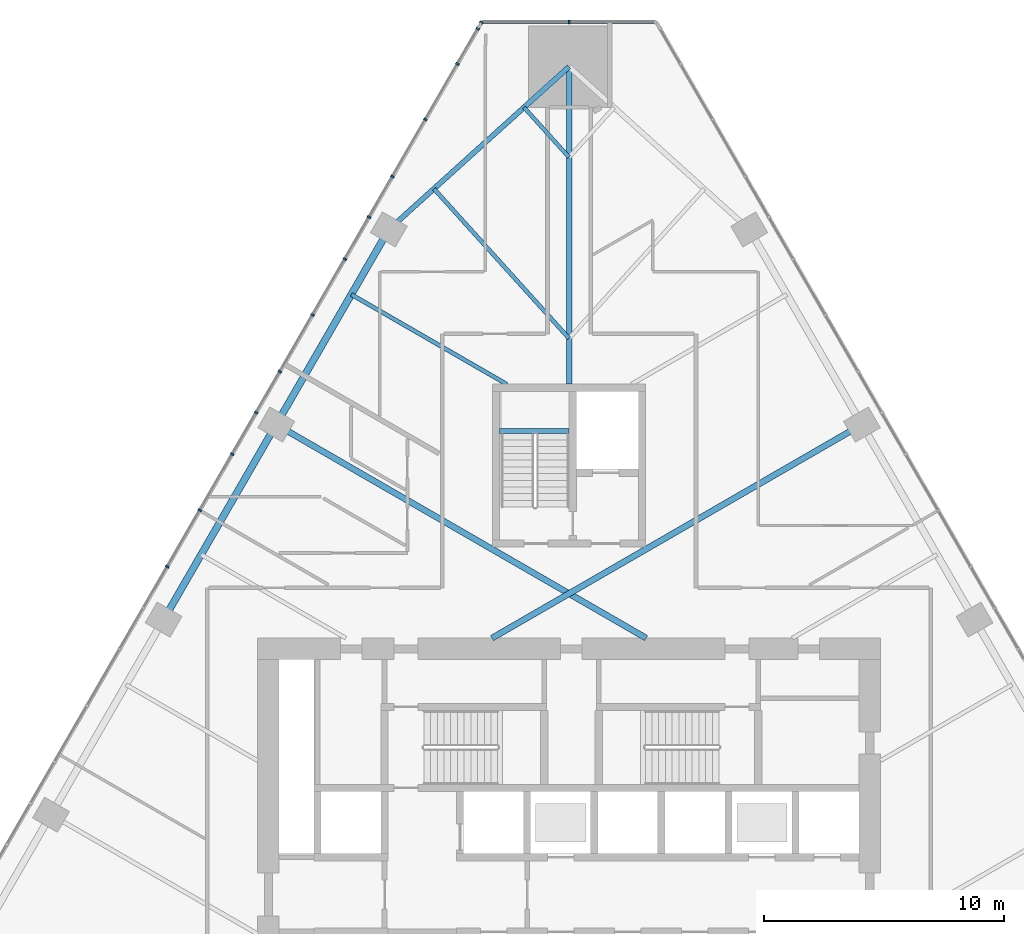
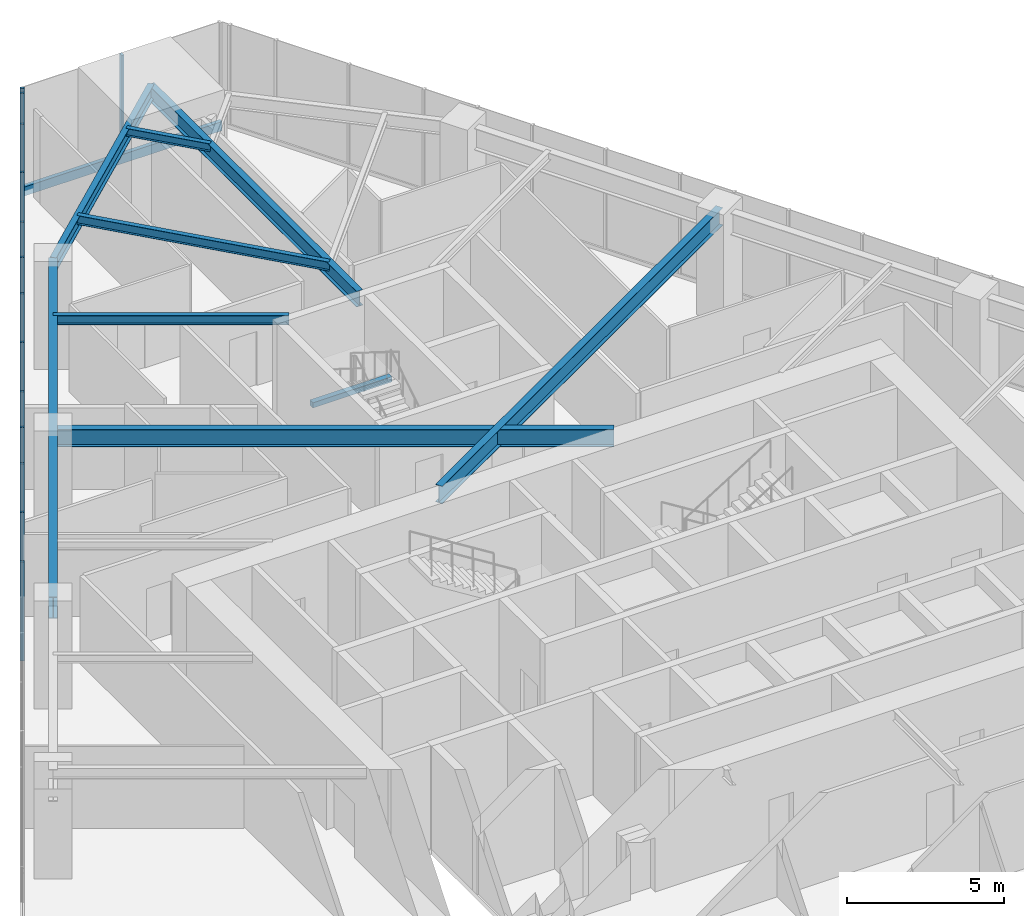
# One storey, part 9 of 21: 15 members, 9 beams, 2 elements without a shape of their own.
"""IFC4 building model written with IfcOpenShell, lengths in metres."""

from ifc_helpers import new_model, si_unit, direction, frame, origin, origin_2d, place, context, subcontext, project, spatial, rectangle, i_section, extrude, material, layer, layer_set, material_profile, profile_set, type_object, element, aggregate, save


model = new_model("IFC4")

# Units and contexts
model_context = context("Model", 3, precision=1e-05, world=origin(), true_north=direction((0.0, 1.0)))
body_context = subcontext(model_context, "Body", "Model", "MODEL_VIEW")
ifc_project = project(units=[si_unit("LENGTHUNIT", "METRE"), si_unit("AREAUNIT", "SQUARE_METRE"), si_unit("VOLUMEUNIT", "CUBIC_METRE"), si_unit("PLANEANGLEUNIT", "RADIAN"), si_unit("MASSUNIT", "GRAM", prefix="KILO")], contexts=[model_context])

# Site, building, storey
site_placement = place(None, origin())
site = spatial("IfcSite", under=ifc_project, at=site_placement, CompositionType="ELEMENT")
building_placement = place(site_placement, origin())
building = spatial("IfcBuilding", under=site, at=building_placement, Name="Firuza Gate Tower and Library", CompositionType="ELEMENT")
storey_placement = place(building_placement, frame((0.0, 0.0, 94.60009765625)))
storey = spatial("IfcBuildingStorey", under=building, at=storey_placement, Name="L21", CompositionType="ELEMENT", Elevation=94.60009765625)

# Curtain wall, member
ifc_material_1 = material(Name="Aluminium 6063-T6", Category="aluminium")
ifc_layer_1 = layer(ifc_material_1, 0.14990234375)
ifc_layer_set_1 = layer_set([ifc_layer_1], Name="Corner curtain wall, chamfers")
curtain_wall_type_1 = type_object("IfcCurtainWallType", Name="Corner curtain wall, chamfers", PredefinedType="NOTDEFINED", material=ifc_layer_set_1)
placement = place(storey_placement, origin())
curtain_wall_1 = element("IfcCurtainWall", 1, at=placement, inside=storey, type_object=curtain_wall_type_1, Name="CW4 L21 N corner", PredefinedType="NOTDEFINED")
ifc_material_2 = material(Name="Aluminium 6063-T6", Category="aluminium")
ifc_material_profile_1 = material_profile(ifc_material_2, rectangle(XDim=0.14990234375, YDim=0.080078125, at=origin_2d()))
ifc_profile_set_1 = profile_set([ifc_material_profile_1], Name="Aluminium 6063-T6")
member_type_1 = type_object("IfcMemberType", Name="Curtain wall mullion 80x150", PredefinedType="MULLION", material=ifc_profile_set_1)
member_1_placement = place(storey_placement, frame((75.0, 109.727783203125, 0.14990234375), z_axis=(0.0, 0.0, 1.0), x_axis=(0.0, -1.0, 0.0)))
member_1 = element("IfcMember", 2, at=member_1_placement, type_object=member_type_1, Name="Mullion", PredefinedType="MULLION", context=body_context, shape_type="SweptSolid", body=[
    extrude(rectangle(XDim=0.14990234375, YDim=0.080078125, at=origin_2d()), origin(), (0.0, 0.0, 1.0), 3.85009765625),
])

# Curtain wall, members
ifc_material_3 = material(Name="Aluminium 6063-T6", Category="aluminium")
ifc_layer_2 = layer(ifc_material_3, 0.14990234375)
ifc_layer_set_2 = layer_set([ifc_layer_2], Name="Unitised curtain wall, offices")
curtain_wall_type_2 = type_object("IfcCurtainWallType", Name="Unitised curtain wall, offices", PredefinedType="NOTDEFINED", material=ifc_layer_set_2)
curtain_wall_2 = element("IfcCurtainWall", 3, at=placement, inside=storey, type_object=curtain_wall_type_2, Name="CW1 L21 W face", PredefinedType="NOTDEFINED")
member_2_placement = place(storey_placement, frame((71.336669921875, 109.693115234375, 0.14990234375), z_axis=(0.0, 0.0, 1.0), x_axis=(0.866025403784, -0.5, 0.0)))
member_2 = element("IfcMember", 4, at=member_2_placement, type_object=member_type_1, Name="Mullion", PredefinedType="MULLION", context=body_context, shape_type="SweptSolid", body=[
    extrude(rectangle(XDim=0.14990234375, YDim=0.080078125, at=origin_2d()), origin(), (0.0, 0.0, 1.0), 3.85009765625),
])
member_3_placement = place(storey_placement, frame((69.002197265625, 105.649658203125, 0.14990234375), z_axis=(0.0, 0.0, 1.0), x_axis=(0.866025403784, -0.5, 0.0)))
member_3 = element("IfcMember", 5, at=member_3_placement, type_object=member_type_1, Name="Mullion", PredefinedType="MULLION", context=body_context, shape_type="SweptSolid", body=[
    extrude(rectangle(XDim=0.14990234375, YDim=0.080078125, at=origin_2d()), origin(), (0.0, 0.0, 1.0), 3.85009765625),
])
member_4_placement = place(storey_placement, frame((66.647705078125, 101.571533203125, 0.14990234375), z_axis=(0.0, 0.0, 1.0), x_axis=(0.866025403784, -0.5, 0.0)))
member_4 = element("IfcMember", 6, at=member_4_placement, type_object=member_type_1, Name="Mullion", PredefinedType="MULLION", context=body_context, shape_type="SweptSolid", body=[
    extrude(rectangle(XDim=0.14990234375, YDim=0.080078125, at=origin_2d()), origin(), (0.0, 0.0, 1.0), 3.85009765625),
])
member_5_placement = place(storey_placement, frame((64.29345703125, 97.49365234375, 0.14990234375), z_axis=(0.0, 0.0, 1.0), x_axis=(0.866025403784, -0.5, 0.0)))
member_5 = element("IfcMember", 7, at=member_5_placement, type_object=member_type_1, Name="Mullion", PredefinedType="MULLION", context=body_context, shape_type="SweptSolid", body=[
    extrude(rectangle(XDim=0.14990234375, YDim=0.080078125, at=origin_2d()), origin(), (0.0, 0.0, 1.0), 3.85009765625),
])
member_6_placement = place(storey_placement, frame((61.93896484375, 93.41552734375, 0.14990234375), z_axis=(0.0, 0.0, 1.0), x_axis=(0.866025403784, -0.5, 0.0)))
member_6 = element("IfcMember", 8, at=member_6_placement, type_object=member_type_1, Name="Mullion", PredefinedType="MULLION", context=body_context, shape_type="SweptSolid", body=[
    extrude(rectangle(XDim=0.14990234375, YDim=0.080078125, at=origin_2d()), origin(), (0.0, 0.0, 1.0), 3.85009765625),
])
member_7_placement = place(storey_placement, frame((59.58447265625, 89.337646484375, 0.14990234375), z_axis=(0.0, 0.0, 1.0), x_axis=(0.866025403784, -0.5, 0.0)))
member_7 = element("IfcMember", 9, at=member_7_placement, type_object=member_type_1, Name="Mullion", PredefinedType="MULLION", context=body_context, shape_type="SweptSolid", body=[
    extrude(rectangle(XDim=0.14990234375, YDim=0.080078125, at=origin_2d()), origin(), (0.0, 0.0, 1.0), 3.85009765625),
])
member_8_placement = place(storey_placement, frame((71.191162109375, 109.44091796875, 0.14990234375), z_axis=(0.0, 0.0, 1.0), x_axis=(0.866025403784, -0.5, 0.0)))
member_8 = element("IfcMember", 10, at=member_8_placement, type_object=member_type_1, Name="Mullion", PredefinedType="MULLION", context=body_context, shape_type="SweptSolid", body=[
    extrude(rectangle(XDim=0.14990234375, YDim=0.080078125, at=origin_2d()), origin(), (0.0, 0.0, 1.0), 3.85009765625),
])
member_9_placement = place(storey_placement, frame((70.340576171875, 107.968017578125, 0.14990234375), z_axis=(0.0, 0.0, 1.0), x_axis=(0.866025403784, -0.5, 0.0)))
member_9 = element("IfcMember", 11, at=member_9_placement, type_object=member_type_1, Name="Mullion", PredefinedType="MULLION", context=body_context, shape_type="SweptSolid", body=[
    extrude(rectangle(XDim=0.14990234375, YDim=0.080078125, at=origin_2d()), origin(), (0.0, 0.0, 1.0), 3.85009765625),
])
member_10_placement = place(storey_placement, frame((67.627685546875, 103.268798828125, 0.14990234375), z_axis=(0.0, 0.0, 1.0), x_axis=(0.866025403784, -0.5, 0.0)))
member_10 = element("IfcMember", 12, at=member_10_placement, type_object=member_type_1, Name="Mullion", PredefinedType="MULLION", context=body_context, shape_type="SweptSolid", body=[
    extrude(rectangle(XDim=0.14990234375, YDim=0.080078125, at=origin_2d()), origin(), (0.0, 0.0, 1.0), 3.85009765625),
])
member_11_placement = place(storey_placement, frame((65.638916015625, 99.824462890625, 0.14990234375), z_axis=(0.0, 0.0, 1.0), x_axis=(0.866025403784, -0.5, 0.0)))
member_11 = element("IfcMember", 13, at=member_11_placement, type_object=member_type_1, Name="Mullion", PredefinedType="MULLION", context=body_context, shape_type="SweptSolid", body=[
    extrude(rectangle(XDim=0.14990234375, YDim=0.080078125, at=origin_2d()), origin(), (0.0, 0.0, 1.0), 3.85009765625),
])
member_12_placement = place(storey_placement, frame((62.926025390625, 95.125244140625, 0.14990234375), z_axis=(0.0, 0.0, 1.0), x_axis=(0.866025403784, -0.5, 0.0)))
member_12 = element("IfcMember", 14, at=member_12_placement, type_object=member_type_1, Name="Mullion", PredefinedType="MULLION", context=body_context, shape_type="SweptSolid", body=[
    extrude(rectangle(XDim=0.14990234375, YDim=0.080078125, at=origin_2d()), origin(), (0.0, 0.0, 1.0), 3.85009765625),
])
member_13_placement = place(storey_placement, frame((60.937255859375, 91.680908203125, 0.14990234375), z_axis=(0.0, 0.0, 1.0), x_axis=(0.866025403784, -0.5, 0.0)))
member_13 = element("IfcMember", 15, at=member_13_placement, type_object=member_type_1, Name="Mullion", PredefinedType="MULLION", context=body_context, shape_type="SweptSolid", body=[
    extrude(rectangle(XDim=0.14990234375, YDim=0.080078125, at=origin_2d()), origin(), (0.0, 0.0, 1.0), 3.85009765625),
])
member_14_placement = place(storey_placement, frame((58.224365234375, 86.981689453125, 0.14990234375), z_axis=(0.0, 0.0, 1.0), x_axis=(0.866025403784, -0.5, 0.0)))
member_14 = element("IfcMember", 16, at=member_14_placement, type_object=member_type_1, Name="Mullion", PredefinedType="MULLION", context=body_context, shape_type="SweptSolid", body=[
    extrude(rectangle(XDim=0.14990234375, YDim=0.080078125, at=origin_2d()), origin(), (0.0, 0.0, 1.0), 3.85009765625),
])
aggregate(curtain_wall_2, [member_2, member_3, member_4, member_5, member_6, member_7, member_8, member_9, member_10, member_11, member_12, member_13, member_14])

# Member
ifc_material_4 = material(Name="Aluminium 6063-T6", Category="aluminium")
ifc_material_profile_2 = material_profile(ifc_material_4, rectangle(XDim=0.14990234375, YDim=0.35009765625, at=origin_2d()))
ifc_profile_set_2 = profile_set([ifc_material_profile_2], Name="Aluminium 6063-T6")
member_type_2 = type_object("IfcMemberType", Name="Curtain wall transom 350x150", PredefinedType="USERDEFINED", material=ifc_profile_set_2)
member_15_placement = place(storey_placement, frame((78.643310546875, 109.727783203125, -0.025146484375), z_axis=(-1.0, 0.0, 0.0), x_axis=(0.0, -1.0, 0.0)))
member_15 = element("IfcMember", 17, at=member_15_placement, type_object=member_type_2, Name="Transom", ObjectType="TRANSOM", PredefinedType="USERDEFINED", context=body_context, shape_type="SweptSolid", body=[
    extrude(rectangle(XDim=0.14990234375, YDim=0.35009765625, at=origin_2d()), origin(), (0.0, 0.0, 1.0), 7.28662109375),
])

aggregate(curtain_wall_1, [member_1, member_15])

# Beams
ifc_material_5 = material(Name="Concrete C35/45", Category="concrete")
ifc_material_profile_3 = material_profile(ifc_material_5, rectangle(XDim=0.199951171875, YDim=0.199951171875, at=origin_2d()))
ifc_profile_set_3 = profile_set([ifc_material_profile_3], Name="Concrete C35/45")
beam_type_1 = type_object("IfcBeamType", Name="Stair landing bearer 200x200", PredefinedType="BEAM", material=ifc_profile_set_3)
beam_1_placement = place(storey_placement, frame((75.0, 92.64990234375, 1.7998046875), z_axis=(-1.0, 0.0, 0.0), x_axis=(0.0, -1.0, 0.0)))
element("IfcBeam", 18, at=beam_1_placement, inside=storey, type_object=beam_type_1, Name="Landing bearer L21 stair 3", PredefinedType="BEAM", context=body_context, shape_type="SweptSolid", body=[
    extrude(rectangle(XDim=0.199951171875, YDim=0.199951171875, at=origin_2d()), origin(), (0.0, 0.0, 1.0), 2.89990234375),
])
ifc_material_6 = material(Name="Steel S355", Category="steel")
ifc_material_profile_4 = material_profile(ifc_material_6, i_section(OverallWidth=0.1650390625, OverallDepth=0.31005859375, WebThickness=0.005859375, FlangeThickness=0.009765625, at=origin_2d()))
ifc_profile_set_4 = profile_set([ifc_material_profile_4], Name="Steel S355")
beam_type_2 = type_object("IfcBeamType", Name="W310x39 Floor beam", PredefinedType="JOIST", material=ifc_profile_set_4)
beam_2_placement = place(storey_placement, frame((73.119384765625, 106.154296875, 3.844970703125), z_axis=(0.670256887626, -0.742129169747, 0.0), x_axis=(0.742129169747, 0.670256887626, 0.0)))
element("IfcBeam", 19, at=beam_2_placement, inside=storey, type_object=beam_type_2, Name="Floor beam L21 s70", PredefinedType="JOIST", context=body_context, shape_type="SweptSolid", body=[
    extrude(i_section(OverallWidth=0.1650390625, OverallDepth=0.31005859375, WebThickness=0.005859375, FlangeThickness=0.009765625, at=origin_2d()), origin(), (0.0, 0.0, 1.0), 2.805908203125),
])
ifc_material_7 = material(Name="Steel S355", Category="steel")
ifc_material_profile_5 = material_profile(ifc_material_7, i_section(OverallWidth=0.1708984375, OverallDepth=0.35498046875, WebThickness=0.007080078125, FlangeThickness=0.01171875, at=origin_2d()))
ifc_profile_set_5 = profile_set([ifc_material_profile_5], Name="Steel S355")
beam_type_3 = type_object("IfcBeamType", Name="W360x51 Floor beam", PredefinedType="JOIST", material=ifc_profile_set_5)
beam_3_placement = place(storey_placement, frame((69.3583984375, 102.757568359375, 3.822509765625), z_axis=(0.67024091296, -0.742143597018, 0.0), x_axis=(0.742143597018, 0.67024091296, 0.0)))
element("IfcBeam", 20, at=beam_3_placement, inside=storey, type_object=beam_type_3, Name="Floor beam L21 s71", PredefinedType="JOIST", context=body_context, shape_type="SweptSolid", body=[
    extrude(i_section(OverallWidth=0.1708984375, OverallDepth=0.35498046875, WebThickness=0.007080078125, FlangeThickness=0.01171875, at=origin_2d()), origin(), (0.0, 0.0, 1.0), 8.417236328125),
])
beam_4_placement = place(storey_placement, frame((65.910400390625, 98.3447265625, 3.822509765625), z_axis=(0.866031961729, -0.499988641134, 0.0), x_axis=(0.499988641134, 0.866031961729, 0.0)))
element("IfcBeam", 21, at=beam_4_placement, inside=storey, type_object=beam_type_3, Name="Floor beam L21 s80", PredefinedType="JOIST", context=body_context, shape_type="SweptSolid", body=[
    extrude(i_section(OverallWidth=0.1708984375, OverallDepth=0.35498046875, WebThickness=0.007080078125, FlangeThickness=0.01171875, at=origin_2d()), origin(), (0.0, 0.0, 1.0), 7.489501953125),
])
ifc_material_8 = material(Name="Steel S355", Category="steel")
ifc_material_profile_6 = material_profile(ifc_material_8, i_section(OverallWidth=0.212890625, OverallDepth=0.5390625, WebThickness=0.01171875, FlangeThickness=0.018798828125, at=origin_2d()))
ifc_profile_set_6 = profile_set([ifc_material_profile_6], Name="Steel S355")
beam_type_4 = type_object("IfcBeamType", Name="W530x109 Edge beam", PredefinedType="SPANDREL", material=ifc_profile_set_6)
beam_5_placement = place(storey_placement, frame((75.0, 107.852783203125, 3.73046875), z_axis=(-0.74213008283, -0.670255876632, 0.0), x_axis=(0.670255876632, -0.74213008283, 0.0)))
element("IfcBeam", 22, at=beam_5_placement, inside=storey, type_object=beam_type_4, Name="Edge beam L21 e70", PredefinedType="SPANDREL", context=body_context, shape_type="SweptSolid", body=[
    extrude(i_section(OverallWidth=0.212890625, OverallDepth=0.5390625, WebThickness=0.01171875, FlangeThickness=0.018798828125, at=origin_2d()), origin(), (0.0, 0.0, 1.0), 10.135986328125),
])
ifc_material_9 = material(Name="Steel S355", Category="steel")
ifc_material_profile_7 = material_profile(ifc_material_9, i_section(OverallWidth=0.22802734375, OverallDepth=0.60302734375, WebThickness=0.010498046875, FlangeThickness=0.014892578125, at=origin_2d()))
ifc_profile_set_7 = profile_set([ifc_material_profile_7], Name="Steel S355")
beam_type_5 = type_object("IfcBeamType", Name="W610x101 Girder", PredefinedType="BEAM", material=ifc_profile_set_7)
beam_6_placement = place(storey_placement, frame((75.0, 107.852783203125, 3.698486328125), z_axis=(0.0, -1.0, 0.0), x_axis=(1.0, 0.0, 0.0)))
element("IfcBeam", 23, at=beam_6_placement, inside=storey, type_object=beam_type_5, Name="Girder L21 gN", PredefinedType="BEAM", context=body_context, shape_type="SweptSolid", body=[
    extrude(i_section(OverallWidth=0.22802734375, OverallDepth=0.60302734375, WebThickness=0.010498046875, FlangeThickness=0.014892578125, at=origin_2d()), origin(), (0.0, 0.0, 1.0), 13.252685546875),
])
ifc_material_10 = material(Name="Steel S355", Category="steel")
ifc_material_profile_8 = material_profile(ifc_material_10, i_section(OverallWidth=0.2529296875, OverallDepth=0.677978515625, WebThickness=0.01171875, FlangeThickness=0.016357421875, at=origin_2d()))
ifc_profile_set_8 = profile_set([ifc_material_profile_8], Name="Steel S355")
beam_type_6 = type_object("IfcBeamType", Name="W690x125 Floor beam", PredefinedType="JOIST", material=ifc_profile_set_8)
for number, where, z_axis, x_axis, name in (
    (24, (87.223876953125, 92.91552734375, 3.660888671875), (-0.866025296335, -0.500000186108, 0.0), (0.500000186108, -0.866025296335, 0.0), "Floor beam L21 s54"),
    (25, (62.776123046875, 92.91552734375, 3.660888671875), (0.866025296335, -0.500000186108, 0.0), (0.500000186108, 0.866025296335, 0.0), "Floor beam L21 s81"),
):
    element("IfcBeam", number, at=place(storey_placement, frame(where, z_axis=z_axis, x_axis=x_axis)), inside=storey, type_object=beam_type_6, Name=name, PredefinedType="JOIST", context=body_context, shape_type="SweptSolid", body=[
        extrude(i_section(OverallWidth=0.2529296875, OverallDepth=0.677978515625, WebThickness=0.01171875, FlangeThickness=0.016357421875, at=origin_2d()), origin(), (0.0, 0.0, 1.0), 17.8310546875),
    ])
ifc_material_11 = material(Name="Steel S355", Category="steel")
ifc_material_profile_9 = material_profile(ifc_material_11, i_section(OverallWidth=0.2919921875, OverallDepth=0.8349609375, WebThickness=0.013916015625, FlangeThickness=0.018798828125, at=origin_2d()))
ifc_profile_set_9 = profile_set([ifc_material_profile_9], Name="Steel S355")
beam_type_7 = type_object("IfcBeamType", Name="W840x176 Edge beam", PredefinedType="SPANDREL", material=ifc_profile_set_9)
beam_7_placement = place(storey_placement, frame((67.477783203125, 101.05908203125, 3.58251953125), z_axis=(-0.499998138849, -0.866026478318, 0.0), x_axis=(0.866026478318, -0.499998138849, 0.0)))
element("IfcBeam", 26, at=beam_7_placement, inside=storey, type_object=beam_type_7, Name="Edge beam L21 e80", PredefinedType="SPANDREL", context=body_context, shape_type="SweptSolid", body=[
    extrude(i_section(OverallWidth=0.2919921875, OverallDepth=0.8349609375, WebThickness=0.013916015625, FlangeThickness=0.018798828125, at=origin_2d()), origin(), (0.0, 0.0, 1.0), 18.806640625),
])

save(model, "model.ifc")
